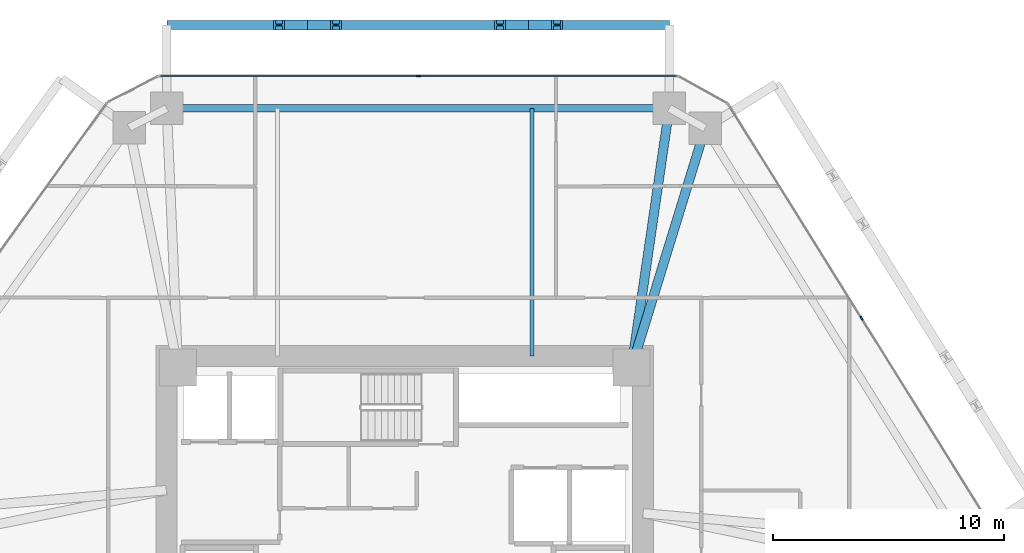
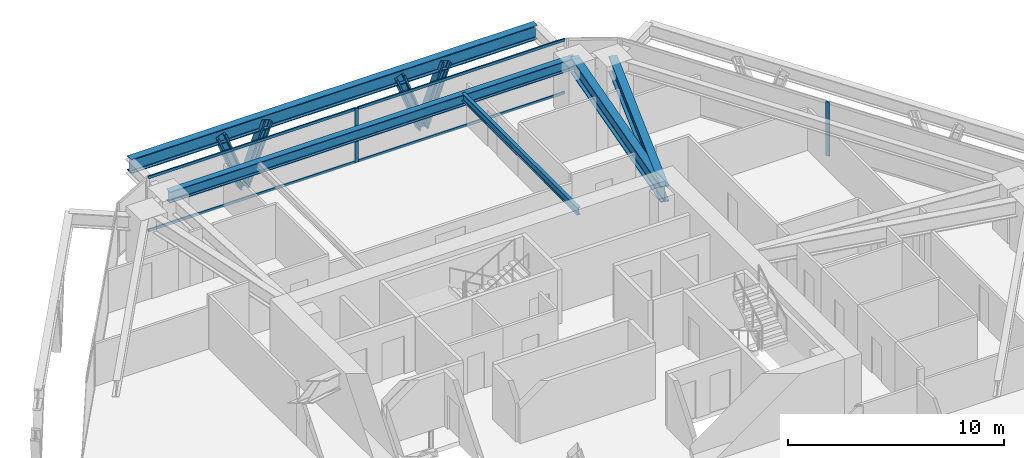
# One storey, part 8 of 15: 10 members, 5 beams, 2 elements without a shape of their own.
"""IFC4 building model written with IfcOpenShell, lengths in metres."""

import ifcopenshell
import ifcopenshell.guid

model = None  # the IFC model being written
_history = None  # IfcOwnerHistory: only IFC2X3 demands one
_inside = {}  # id of a spatial element -> (the spatial element, [elements in it])
_under = {}  # id of a project, library or spatial element -> (it, [spatial elements below it])
_declared = {}  # id of a project -> (the project, [libraries it declares])
_typed = {}  # id of a type object -> (the type object, [elements of that type])
_made_of = {}  # id of a material, layer set ... -> (it, [elements and type objects made of it])


def new_model(schema):
    """Start an empty IFC model of exactly this schema.

    Asked for "IFC4X3", IfcOpenShell would pick the latest addendum, in which some entities
    have other attributes; the version numbers below select the first issue.
    IFC2X3 requires an IfcOwnerHistory on every rooted entity: one is made here for all.
    """
    global model, _history
    if schema == "IFC4X3":
        model = ifcopenshell.file(schema_version=(4, 3, 0, 0))
    else:
        model = ifcopenshell.file(schema=schema)
    _inside.clear()
    _under.clear()
    _declared.clear()
    _typed.clear()
    _made_of.clear()
    _history = None
    if model.schema == "IFC2X3":
        org = make("IfcOrganization", Name="unknown")
        user = make(
            "IfcPersonAndOrganization",
            ThePerson=make("IfcPerson", FamilyName="unknown"),
            TheOrganization=org,
        )
        app = make(
            "IfcApplication",
            ApplicationDeveloper=org,
            Version="unknown",
            ApplicationFullName="unknown",
            ApplicationIdentifier="unknown",
        )
        _history = make(
            "IfcOwnerHistory",
            OwningUser=user,
            OwningApplication=app,
            ChangeAction="ADDED",
            CreationDate=0,
        )
    return model


def make(cls, **values):
    """One entity of the class cls with the attributes given. An attribute that is None is left unset."""
    return model.create_entity(
        cls, **{name: value for name, value in values.items() if value is not None}
    )


def rooted(cls, **values):
    """An entity with a GlobalId (a new one), such as an element, a storey or a relation."""
    return make(cls, GlobalId=ifcopenshell.guid.new(), OwnerHistory=_history, **values)


def si_unit(unit_type, name, prefix=None):
    """IfcSIUnit, for example si_unit("LENGTHUNIT", "METRE", prefix="MILLI")."""
    return make("IfcSIUnit", UnitType=unit_type, Prefix=prefix, Name=name)


def assignment(units):
    """IfcUnitAssignment: the units of a project."""
    return None if units is None else make("IfcUnitAssignment", Units=units)


def point(xyz):
    """IfcCartesianPoint."""
    return None if xyz is None else make("IfcCartesianPoint", Coordinates=xyz)


def direction(xyz):
    """IfcDirection."""
    return None if xyz is None else make("IfcDirection", DirectionRatios=xyz)


def frame(location, z_axis=None, x_axis=None):
    """IfcAxis2Placement3D, a coordinate frame: its origin and axes. An axis left out is left unset."""
    return make(
        "IfcAxis2Placement3D",
        Location=point(location),
        Axis=direction(z_axis),
        RefDirection=direction(x_axis),
    )


def frame_2d(location, x_axis=None):
    """IfcAxis2Placement2D, a coordinate frame in the plane: its origin and x axis."""
    return make(
        "IfcAxis2Placement2D", Location=point(location), RefDirection=direction(x_axis)
    )


def origin():
    """The frame at (0, 0, 0) with its axes left unset."""
    return frame((0.0, 0.0, 0.0))


def origin_2d():
    """The frame at (0, 0) in the plane with its x axis left unset."""
    return frame_2d((0.0, 0.0))


def place(relative_to, where):
    """IfcLocalPlacement: puts the frame where relative to a parent placement (None: the world)."""
    return make(
        "IfcLocalPlacement", PlacementRelTo=relative_to, RelativePlacement=where
    )


def context(
    kind, dimensions, precision=None, world=None, true_north=None, identifier=None
):
    """IfcGeometricRepresentationContext, for example the 3D "Model" context."""
    return make(
        "IfcGeometricRepresentationContext",
        ContextIdentifier=identifier,
        ContextType=kind,
        CoordinateSpaceDimension=dimensions,
        Precision=precision,
        WorldCoordinateSystem=world,
        TrueNorth=true_north,
    )


def subcontext(parent, identifier, kind, view, scale=None):
    """IfcGeometricRepresentationSubContext, for example "Body" below "Model"."""
    return make(
        "IfcGeometricRepresentationSubContext",
        ContextIdentifier=identifier,
        ContextType=kind,
        ParentContext=parent,
        TargetScale=scale,
        TargetView=view,
    )


def project(units=None, contexts=None):
    """IfcProject with its units and contexts."""
    return rooted(
        "IfcProject",
        Name="project",
        RepresentationContexts=contexts,
        UnitsInContext=assignment(units),
    )


def spatial(cls, under=None, at=None, **own):
    """A site, building, storey or space (cls), placed at a placement, below another one or the project."""
    s = rooted(cls, ObjectPlacement=at, **own)
    if under is not None:
        _under.setdefault(under.id(), (under, []))[1].append(s)
    return s


def profile(cls, at=None, kind="AREA", **sizes):
    """A parametric profile (cls). Its sizes go by their IFC names, for example OverallWidth=200.0."""
    return make(cls, ProfileType=kind, Position=at, **sizes)


def rectangle(**sizes):
    """IfcRectangleProfileDef."""
    return profile("IfcRectangleProfileDef", **sizes)


def i_section(**sizes):
    """IfcIShapeProfileDef."""
    return profile("IfcIShapeProfileDef", **sizes)


def extrude(swept, where, along, depth):
    """IfcExtrudedAreaSolid: the profile swept, set in the frame where, extruded along a direction by depth."""
    return make(
        "IfcExtrudedAreaSolid",
        SweptArea=swept,
        Position=where,
        ExtrudedDirection=direction(along),
        Depth=depth,
    )


def shape(context_of_items, identifier, shape_type, items):
    """IfcShapeRepresentation: the items that make up one representation, for example the "Body"."""
    return make(
        "IfcShapeRepresentation",
        ContextOfItems=context_of_items,
        RepresentationIdentifier=identifier,
        RepresentationType=shape_type,
        Items=items,
    )


def source(mapping_origin, context_of_items, identifier, shape_type, items):
    """IfcRepresentationMap: a shape defined once, which mapped items show again and again."""
    return make(
        "IfcRepresentationMap",
        MappingOrigin=mapping_origin,
        MappedRepresentation=shape(context_of_items, identifier, shape_type, items),
    )


def transform(
    local_origin,
    x_axis=None,
    y_axis=None,
    z_axis=None,
    scale=None,
    scale2=None,
    scale3=None,
    uniform=True,
):
    """IfcCartesianTransformationOperator3D, or its non-uniform kind. x_axis, y_axis, z_axis: its Axis1, 2, 3."""
    if uniform:
        return make(
            "IfcCartesianTransformationOperator3D",
            Axis1=direction(x_axis),
            Axis2=direction(y_axis),
            LocalOrigin=point(local_origin),
            Scale=scale,
            Axis3=direction(z_axis),
        )
    return make(
        "IfcCartesianTransformationOperator3DnonUniform",
        Axis1=direction(x_axis),
        Axis2=direction(y_axis),
        LocalOrigin=point(local_origin),
        Scale=scale,
        Axis3=direction(z_axis),
        Scale2=scale2,
        Scale3=scale3,
    )


def mapped(mapping_source, mapping_target):
    """IfcMappedItem: shows the shape of a source again, moved by a transform."""
    return make(
        "IfcMappedItem", MappingSource=mapping_source, MappingTarget=mapping_target
    )


def material(Name=None, Category=None):
    """IfcMaterial."""
    return make("IfcMaterial", Name=Name, Category=Category)


def layer(
    of_material, thickness, ventilated=None, Name=None, Category=None, Priority=None
):
    """IfcMaterialLayer: one layer of a wall or slab, of a material (None: an air gap)."""
    return make(
        "IfcMaterialLayer",
        Material=of_material,
        LayerThickness=thickness,
        IsVentilated=ventilated,
        Name=Name,
        Category=Category,
        Priority=Priority,
    )


def layer_set(layers, Name=None):
    """IfcMaterialLayerSet."""
    return make("IfcMaterialLayerSet", MaterialLayers=layers, LayerSetName=Name)


def material_profile(
    of_material, cross_section, Name=None, Category=None, Priority=None
):
    """IfcMaterialProfile: a cross section and its material."""
    return make(
        "IfcMaterialProfile",
        Name=Name,
        Material=of_material,
        Profile=cross_section,
        Priority=Priority,
        Category=Category,
    )


def profile_set(profiles, Name=None, composite=None):
    """IfcMaterialProfileSet."""
    return make(
        "IfcMaterialProfileSet",
        Name=Name,
        MaterialProfiles=profiles,
        CompositeProfile=composite,
    )


def made_of(thing, what):
    """Note that an element or type object is made of a material, layer set ...; save() writes the relation."""
    if what is not None:
        _made_of.setdefault(what.id(), (what, []))[1].append(thing)
    return thing


def type_object(cls, material=None, **own):
    """A type object (cls), such as IfcWallType, which elements share."""
    return made_of(rooted(cls, **own), material)


def type_shapes(of_type, sources):
    """Give a type object the sources (RepresentationMaps) that its elements show as mapped items."""
    of_type.RepresentationMaps = sources


def element(
    cls,
    number,
    at=None,
    inside=None,
    cuts=None,
    type_object=None,
    material=None,
    context=None,
    identifier="Body",
    shape_type=None,
    held_by="IfcProductDefinitionShape",
    body=None,
    shapes=None,
    **own,
):
    """One element of the class cls, such as IfcWall. Its Tag is "e" and its number.

    at: its placement. inside: the storey or other place that contains it. cuts: it is an
    opening in that element (IfcRelVoidsElement). A single representation is given by context,
    identifier, shape_type and body (its items); several are given by shapes. held_by: the class
    of the entity that holds the representations. save() writes the other relations.
    """
    e = rooted(cls, Tag="e%d" % number, ObjectPlacement=at, **own)
    if body is not None:
        shapes = [shape(context, identifier, shape_type, body)]
    if shapes is not None:
        e.Representation = make(held_by, Representations=shapes)
    if inside is not None:
        _inside.setdefault(inside.id(), (inside, []))[1].append(e)
    if cuts is not None:
        rooted(
            "IfcRelVoidsElement", RelatingBuildingElement=cuts, RelatedOpeningElement=e
        )
    if type_object is not None:
        _typed.setdefault(type_object.id(), (type_object, []))[1].append(e)
    return made_of(e, material)


def aggregate(whole, parts):
    """IfcRelAggregates: a whole, such as a stair, and the parts it consists of."""
    return rooted("IfcRelAggregates", RelatingObject=whole, RelatedObjects=parts)


def save(model, path):
    """Write the relations noted so far, then the file.

    IfcRelAggregates (storeys below a building ...), IfcRelContainedInSpatialStructure (elements
    in a storey), IfcRelDefinesByType, IfcRelAssociatesMaterial and IfcRelDeclares: one each for
    every whole, place, type object, material and project.
    """
    for whole, parts in _under.values():
        aggregate(whole, parts)
    for where, things in _inside.values():
        rooted(
            "IfcRelContainedInSpatialStructure",
            RelatedElements=things,
            RelatingStructure=where,
        )
    for kind, things in _typed.values():
        rooted("IfcRelDefinesByType", RelatedObjects=things, RelatingType=kind)
    for what, things in _made_of.values():
        rooted("IfcRelAssociatesMaterial", RelatedObjects=things, RelatingMaterial=what)
    for by, libraries in _declared.values():
        rooted("IfcRelDeclares", RelatingContext=by, RelatedDefinitions=libraries)
    model.write(path)


model = new_model("IFC4")

# Units and contexts
model_context = context("Model", 3, precision=1e-05, world=origin(), true_north=direction((0.0, 1.0)))
body_context = subcontext(model_context, "Body", "Model", "MODEL_VIEW")
ifc_project = project(units=[si_unit("LENGTHUNIT", "METRE"), si_unit("AREAUNIT", "SQUARE_METRE"), si_unit("VOLUMEUNIT", "CUBIC_METRE"), si_unit("PLANEANGLEUNIT", "RADIAN"), si_unit("MASSUNIT", "GRAM", prefix="KILO")], contexts=[model_context])

# Site, building, storey
site_placement = place(None, origin())
site = spatial("IfcSite", under=ifc_project, at=site_placement, CompositionType="ELEMENT")
building_placement = place(site_placement, origin())
building = spatial("IfcBuilding", under=site, at=building_placement, Name="Durnholm Broadcast Tower", CompositionType="ELEMENT")
storey_placement = place(building_placement, frame((0.0, 0.0, 62.10009765625)))
storey = spatial("IfcBuildingStorey", under=building, at=storey_placement, Name="L15", CompositionType="ELEMENT", Elevation=62.10009765625)

# Beams
ifc_material_1 = material(Name="Steel ASTM A992 Grade 50", Category="steel")
ifc_material_profile_1 = material_profile(ifc_material_1, i_section(OverallWidth=0.3291015625, OverallDepth=0.635009765625, WebThickness=0.017822265625, FlangeThickness=0.031005859375, FilletRadius=0.02783203125, at=origin_2d()), Name="W24X162")
ifc_profile_set_1 = profile_set([ifc_material_profile_1], Name="Steel ASTM A992 Grade 50")
beam_type_1 = type_object("IfcBeamType", Name="STL-SP-W24X162", PredefinedType="SPANDREL", material=ifc_profile_set_1)
shared_shape_1 = source(origin(), body_context, "Body", "SweptSolid", [
    extrude(i_section(OverallWidth=0.3291015625, OverallDepth=0.635009765625, WebThickness=0.017822265625, FlangeThickness=0.031005859375, FilletRadius=0.02783203125, at=origin_2d()), origin(), (0.0, 0.0, 1.0), 21.7138671875),
])
type_shapes(beam_type_1, [shared_shape_1])
beam_1_placement = place(storey_placement, frame((-10.28271484375, 19.0, 2.727294921875), z_axis=(1.0, 0.0, 0.0), x_axis=(0.0, 1.0, 0.0)))
element("IfcBeam", 1, at=beam_1_placement, inside=storey, type_object=beam_type_1, Name="L15 perimeter spandrel girder 05", PredefinedType="SPANDREL", context=body_context, shape_type="MappedRepresentation", body=[
    mapped(shared_shape_1, transform((0.0, 0.0, 0.0), x_axis=(1.0, 0.0, 0.0), y_axis=(0.0, 1.0, 0.0), z_axis=(0.0, 0.0, 1.0), scale=1.0)),
])
ifc_material_profile_2 = material_profile(ifc_material_1, i_section(OverallWidth=0.404052734375, OverallDepth=0.885009765625, WebThickness=0.0244140625, FlangeThickness=0.0439453125, FilletRadius=0.03564453125, at=origin_2d()), Name="W33X291")
ifc_profile_set_2 = profile_set([ifc_material_profile_2], Name="Steel ASTM A992 Grade 50")
beam_type_2 = type_object("IfcBeamType", Name="STL-GR-W33X291", PredefinedType="USERDEFINED", material=ifc_profile_set_2)
shared_shape_2 = source(origin(), body_context, "Body", "SweptSolid", [
    extrude(i_section(OverallWidth=0.404052734375, OverallDepth=0.885009765625, WebThickness=0.0244140625, FlangeThickness=0.0439453125, FilletRadius=0.03564453125, at=origin_2d()), origin(), (0.0, 0.0, 1.0), 11.318115234375),
])
beam_2_placement = place(storey_placement, frame((9.800048828125, 7.800048828125, 2.6025390625), z_axis=(0.144114595679, 0.989561005352, 0.0), x_axis=(-0.989561005352, 0.144114595679, 0.0)))
element("IfcBeam", 2, at=beam_2_placement, inside=storey, type_object=beam_type_2, Name="L15 radial primary floor girder 06", ObjectType="GIRDER", PredefinedType="USERDEFINED", context=body_context, shape_type="MappedRepresentation", body=[
    mapped(shared_shape_2, transform((0.0, 0.0, 0.0), x_axis=(1.0, 0.0, 0.0), y_axis=(0.0, 1.0, 0.0), z_axis=(0.0, 0.0, 1.0), scale=1.0)),
])
shared_shape_3 = source(origin(), body_context, "Body", "SweptSolid", [
    extrude(i_section(OverallWidth=0.404052734375, OverallDepth=0.885009765625, WebThickness=0.0244140625, FlangeThickness=0.0439453125, FilletRadius=0.03564453125, at=origin_2d()), origin(), (0.0, 0.0, 1.0), 10.817138671875),
])
type_shapes(beam_type_2, [shared_shape_2, shared_shape_3])
beam_3_placement = place(storey_placement, frame((9.800048828125, 7.800048828125, 2.6025390625), z_axis=(0.294219068418, 0.955738007918, 0.0), x_axis=(-0.955738007918, 0.294219068418, 0.0)))
element("IfcBeam", 3, at=beam_3_placement, inside=storey, type_object=beam_type_2, Name="L15 radial primary floor girder 07", ObjectType="GIRDER", PredefinedType="USERDEFINED", context=body_context, shape_type="MappedRepresentation", body=[
    mapped(shared_shape_3, transform((0.0, 0.0, 0.0), x_axis=(1.0, 0.0, 0.0), y_axis=(0.0, 1.0, 0.0), z_axis=(0.0, 0.0, 1.0), scale=1.0)),
])
ifc_material_profile_3 = material_profile(ifc_material_1, i_section(OverallWidth=0.180908203125, OverallDepth=0.417236328125, WebThickness=0.010986328125, FlangeThickness=0.018310546875, FilletRadius=0.01904296875, at=origin_2d()), Name="W16X57")
ifc_profile_set_3 = profile_set([ifc_material_profile_3], Name="Steel ASTM A992 Grade 50")
beam_type_3 = type_object("IfcBeamType", Name="STL-BJ-W16X57", PredefinedType="JOIST", material=ifc_profile_set_3)
shared_shape_4 = source(origin(), body_context, "Body", "SweptSolid", [
    extrude(i_section(OverallWidth=0.180908203125, OverallDepth=0.417236328125, WebThickness=0.010986328125, FlangeThickness=0.018310546875, FilletRadius=0.01904296875, at=origin_2d()), origin(), (0.0, 0.0, 1.0), 10.699951171875),
])
type_shapes(beam_type_3, [shared_shape_4])
beam_4_placement = place(storey_placement, frame((5.5, 8.300048828125, 2.836181640625), z_axis=(0.0, 1.0, 0.0), x_axis=(-1.0, 0.0, 0.0)))
element("IfcBeam", 4, at=beam_4_placement, inside=storey, type_object=beam_type_3, Name="L15 secondary floor joist 4.2", PredefinedType="JOIST", context=body_context, shape_type="MappedRepresentation", body=[
    mapped(shared_shape_4, transform((0.0, 0.0, 0.0), x_axis=(1.0, 0.0, 0.0), y_axis=(0.0, 1.0, 0.0), z_axis=(0.0, 0.0, 1.0), scale=1.0)),
])
ifc_material_profile_4 = material_profile(ifc_material_1, i_section(OverallWidth=0.385009765625, OverallDepth=0.802978515625, WebThickness=0.023681640625, FlangeThickness=0.0419921875, FilletRadius=0.032958984375, at=origin_2d()), Name="W30X261")
ifc_profile_set_4 = profile_set([ifc_material_profile_4], Name="Steel ASTM A992 Grade 50")
beam_type_4 = type_object("IfcBeamType", Name="BM-EXO-TIE", PredefinedType="USERDEFINED", material=ifc_profile_set_4)
shared_shape_5 = source(origin(), body_context, "Body", "SweptSolid", [
    extrude(i_section(OverallWidth=0.385009765625, OverallDepth=0.802978515625, WebThickness=0.023681640625, FlangeThickness=0.0419921875, FilletRadius=0.032958984375, at=origin_2d()), origin(), (0.0, 0.0, 1.0), 21.7138671875),
])
type_shapes(beam_type_4, [shared_shape_5])
beam_5_placement = place(storey_placement, frame((11.43115234375, 22.60009765625, 2.30859375), z_axis=(-1.0, 0.0, 0.0), x_axis=(0.0, -1.0, 0.0)))
element("IfcBeam", 5, at=beam_5_placement, inside=storey, type_object=beam_type_4, Name="L15 exoskeleton collector spandrel F4", PredefinedType="SPANDREL", context=body_context, shape_type="MappedRepresentation", body=[
    mapped(shared_shape_5, transform((0.0, 0.0, 0.0), x_axis=(1.0, 0.0, 0.0), y_axis=(0.0, 1.0, 0.0), z_axis=(0.0, 0.0, 1.0), scale=1.0)),
])

# Members
ifc_material_2 = material(Name="Steel ASTM A913 Grade 65", Category="steel")
ifc_material_profile_5 = material_profile(ifc_material_2, i_section(OverallWidth=0.43212890625, OverallDepth=0.497802734375, WebThickness=0.0556640625, FlangeThickness=0.0888671875, FilletRadius=0.030517578125, at=origin_2d()), Name="W14X500")
ifc_profile_set_5 = profile_set([ifc_material_profile_5], Name="Steel ASTM A913 Grade 65")
member_type_1 = type_object("IfcMemberType", Name="STL-DG-W14X500", PredefinedType="BRACE", material=ifc_profile_set_5)
shared_shape_6 = source(origin(), body_context, "Body", "SweptSolid", [
    extrude(i_section(OverallWidth=0.43212890625, OverallDepth=0.497802734375, WebThickness=0.0556640625, FlangeThickness=0.0888671875, FilletRadius=0.030517578125, at=origin_2d()), origin(), (0.0, 0.0, 1.0), 3.523193359375),
])
type_shapes(member_type_1, [shared_shape_6])
for number, where, z_axis, x_axis, name in (
    (6, (5.351318359375, 22.60009765625, -0.991455078125), (0.350219588454, 0.0, 0.936667625075), (0.0, 1.0, 0.0), "L15 stand-off diagrid brace F4.D1.1"),
    (7, (5.351318359375, 22.60009765625, -0.991455078125), (-0.350219588454, 0.0, 0.936667625075), (0.0, -1.0, 0.0), "L15 stand-off diagrid brace F4.D1.2"),
    (8, (-4.202880859375, 22.60009765625, -0.991455078125), (0.350219588454, 0.0, 0.936667625075), (0.0, 1.0, 0.0), "L15 stand-off diagrid brace F4.D2.1"),
    (9, (-4.202880859375, 22.60009765625, -0.991455078125), (-0.350219588454, 0.0, 0.936667625075), (0.0, -1.0, 0.0), "L15 stand-off diagrid brace F4.D2.2"),
):
    element("IfcMember", number, at=place(storey_placement, frame(where, z_axis=z_axis, x_axis=x_axis)), inside=storey, type_object=member_type_1, Name=name, PredefinedType="BRACE", context=body_context, shape_type="MappedRepresentation", body=[
        mapped(shared_shape_6, transform((0.0, 0.0, 0.0), x_axis=(1.0, 0.0, 0.0), y_axis=(0.0, 1.0, 0.0), z_axis=(0.0, 0.0, 1.0), scale=1.0)),
    ])

# Curtain wall, members
ifc_material_3 = material(Name="Aluminium and Solar Control IGU", Category="aluminium")
ifc_layer = layer(ifc_material_3, 0.18994140625)
ifc_layer_set = layer_set([ifc_layer], Name="Aluminium and Solar Control IGU")
curtain_wall_type = type_object("IfcCurtainWallType", Name="CW-SYS-3", PredefinedType="NOTDEFINED", material=ifc_layer_set)
curtain_wall_1_placement = place(storey_placement, origin())
curtain_wall_1 = element("IfcCurtainWall", 10, at=curtain_wall_1_placement, inside=storey, type_object=curtain_wall_type, Name="L15 curtain wall CW-Z12-VIS CW-L15-F04", PredefinedType="NOTDEFINED")
ifc_material_4 = material(Name="Aluminium 6063-T6", Category="aluminium")
ifc_material_profile_6 = material_profile(ifc_material_4, rectangle(XDim=0.070068359375, YDim=0.14990234375, at=origin_2d()), Name="CWT70X150")
ifc_profile_set_6 = profile_set([ifc_material_profile_6], Name="Aluminium 6063-T6")
member_type_2 = type_object("IfcMemberType", Name="CW-SYS-3-TRN", PredefinedType="USERDEFINED", material=ifc_profile_set_6)
shared_shape_7 = source(origin(), body_context, "Body", "SweptSolid", [
    extrude(rectangle(XDim=0.070068359375, YDim=0.14990234375, at=origin_2d()), origin(), (0.0, 0.0, 1.0), 11.10205078125),
])
type_shapes(member_type_2, [shared_shape_7])
member_1_placement = place(storey_placement, frame((-10.55029296875, 20.39990234375, 0.034912109375), z_axis=(1.0, 0.0, 0.0), x_axis=(0.0, 1.0, 0.0)))
member_1 = element("IfcMember", 11, at=member_1_placement, type_object=member_type_2, Name="CW-Z12-VIS transom 1.1", ObjectType="TRANSOM", PredefinedType="USERDEFINED", context=body_context, shape_type="MappedRepresentation", body=[
    mapped(shared_shape_7, transform((0.0, 0.0, 0.0), x_axis=(1.0, 0.0, 0.0), y_axis=(0.0, 1.0, 0.0), z_axis=(0.0, 0.0, 1.0), scale=1.0)),
])
member_2_placement = place(storey_placement, frame((-10.55029296875, 20.39990234375, 3.02490234375), z_axis=(1.0, 0.0, 0.0), x_axis=(0.0, 1.0, 0.0)))
member_2 = element("IfcMember", 12, at=member_2_placement, type_object=member_type_2, Name="CW-Z12-VIS transom 1.2", ObjectType="TRANSOM", PredefinedType="USERDEFINED", context=body_context, shape_type="MappedRepresentation", body=[
    mapped(shared_shape_7, transform((0.0, 0.0, 0.0), x_axis=(1.0, 0.0, 0.0), y_axis=(0.0, 1.0, 0.0), z_axis=(0.0, 0.0, 1.0), scale=1.0)),
])
member_3_placement = place(storey_placement, frame((0.621826171875, 20.39990234375, 0.034912109375), z_axis=(1.0, 0.0, 0.0), x_axis=(0.0, 1.0, 0.0)))
member_3 = element("IfcMember", 13, at=member_3_placement, type_object=member_type_2, Name="CW-Z12-VIS transom 2.1", ObjectType="TRANSOM", PredefinedType="USERDEFINED", context=body_context, shape_type="MappedRepresentation", body=[
    mapped(shared_shape_7, transform((0.0, 0.0, 0.0), x_axis=(1.0, 0.0, 0.0), y_axis=(0.0, 1.0, 0.0), z_axis=(0.0, 0.0, 1.0), scale=1.0)),
])
member_4_placement = place(storey_placement, frame((0.621826171875, 20.39990234375, 3.02490234375), z_axis=(1.0, 0.0, 0.0), x_axis=(0.0, 1.0, 0.0)))
member_4 = element("IfcMember", 14, at=member_4_placement, type_object=member_type_2, Name="CW-Z12-VIS transom 2.2", ObjectType="TRANSOM", PredefinedType="USERDEFINED", context=body_context, shape_type="MappedRepresentation", body=[
    mapped(shared_shape_7, transform((0.0, 0.0, 0.0), x_axis=(1.0, 0.0, 0.0), y_axis=(0.0, 1.0, 0.0), z_axis=(0.0, 0.0, 1.0), scale=1.0)),
])
ifc_material_profile_7 = material_profile(ifc_material_4, rectangle(XDim=0.070068359375, YDim=0.18994140625, at=origin_2d()), Name="CWM70X190")
ifc_profile_set_7 = profile_set([ifc_material_profile_7], Name="Aluminium 6063-T6")
member_type_3 = type_object("IfcMemberType", Name="CW-SYS-3-MUL", PredefinedType="MULLION", material=ifc_profile_set_7)
shared_shape_8 = source(origin(), body_context, "Body", "SweptSolid", [
    extrude(rectangle(XDim=0.070068359375, YDim=0.18994140625, at=origin_2d()), origin(), (0.0, 0.0, 1.0), 3.059814453125),
])
type_shapes(member_type_3, [shared_shape_8])
member_5_placement = place(storey_placement, frame((0.5869140625, 20.39990234375, 0.0), z_axis=(0.0, 0.0, 1.0), x_axis=(0.0, 1.0, 0.0)))
member_5 = element("IfcMember", 15, at=member_5_placement, type_object=member_type_3, Name="CW-Z12-VIS mullion 2", PredefinedType="MULLION", context=body_context, shape_type="MappedRepresentation", body=[
    mapped(shared_shape_8, transform((0.0, 0.0, 0.0), x_axis=(1.0, 0.0, 0.0), y_axis=(0.0, 1.0, 0.0), z_axis=(0.0, 0.0, 1.0), scale=1.0)),
])
aggregate(curtain_wall_1, [member_5, member_1, member_2, member_3, member_4])

# Curtain wall, member
curtain_wall_2_placement = place(storey_placement, origin())
curtain_wall_2 = element("IfcCurtainWall", 16, at=curtain_wall_2_placement, inside=storey, type_object=curtain_wall_type, Name="L15 curtain wall CW-Z12-VIS CW-L15-F06", PredefinedType="NOTDEFINED")
member_6_placement = place(storey_placement, frame((19.741943359375, 9.93212890625, 0.0), z_axis=(0.0, 0.0, 1.0), x_axis=(0.848875785503, 0.528592376777, 0.0)))
member_6 = element("IfcMember", 17, at=member_6_placement, type_object=member_type_3, Name="CW-Z12-VIS mullion 2", PredefinedType="MULLION", context=body_context, shape_type="MappedRepresentation", body=[
    mapped(shared_shape_8, transform((0.0, 0.0, 0.0), x_axis=(1.0, 0.0, 0.0), y_axis=(0.0, 1.0, 0.0), z_axis=(0.0, 0.0, 1.0), scale=1.0)),
])
aggregate(curtain_wall_2, [member_6])

save(model, "model.ifc")
